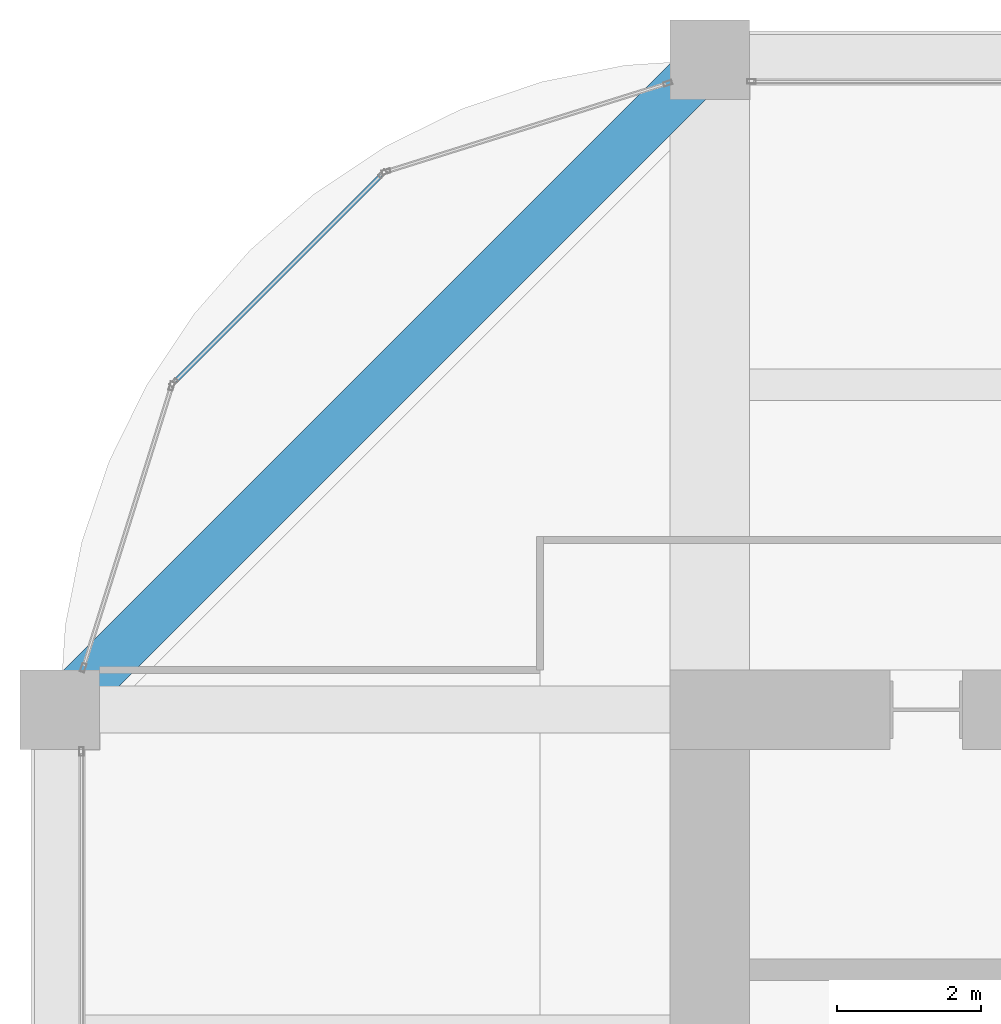
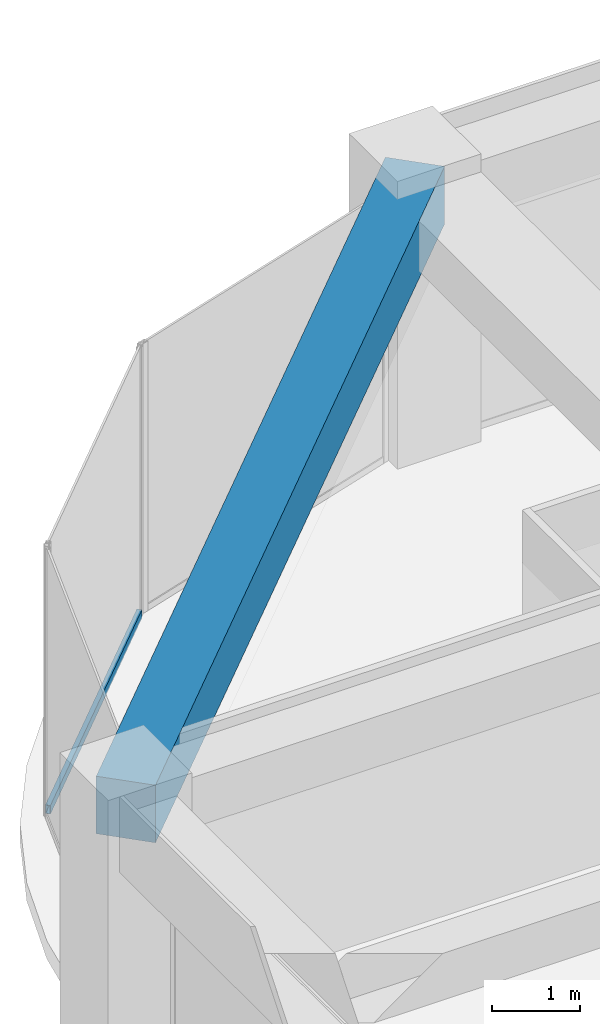
# One storey, part 29 of 45: 1 beam, 1 member, 1 element without a shape of its own.
"""IFC4 building model written with IfcOpenShell, lengths in metres."""

import ifcopenshell
import ifcopenshell.guid

model = None  # the IFC model being written
_history = None  # IfcOwnerHistory: only IFC2X3 demands one
_inside = {}  # id of a spatial element -> (the spatial element, [elements in it])
_under = {}  # id of a project, library or spatial element -> (it, [spatial elements below it])
_declared = {}  # id of a project -> (the project, [libraries it declares])
_typed = {}  # id of a type object -> (the type object, [elements of that type])
_made_of = {}  # id of a material, layer set ... -> (it, [elements and type objects made of it])


def new_model(schema):
    """Start an empty IFC model of exactly this schema.

    Asked for "IFC4X3", IfcOpenShell would pick the latest addendum, in which some entities
    have other attributes; the version numbers below select the first issue.
    IFC2X3 requires an IfcOwnerHistory on every rooted entity: one is made here for all.
    """
    global model, _history
    if schema == "IFC4X3":
        model = ifcopenshell.file(schema_version=(4, 3, 0, 0))
    else:
        model = ifcopenshell.file(schema=schema)
    _inside.clear()
    _under.clear()
    _declared.clear()
    _typed.clear()
    _made_of.clear()
    _history = None
    if model.schema == "IFC2X3":
        org = make("IfcOrganization", Name="unknown")
        user = make(
            "IfcPersonAndOrganization",
            ThePerson=make("IfcPerson", FamilyName="unknown"),
            TheOrganization=org,
        )
        app = make(
            "IfcApplication",
            ApplicationDeveloper=org,
            Version="unknown",
            ApplicationFullName="unknown",
            ApplicationIdentifier="unknown",
        )
        _history = make(
            "IfcOwnerHistory",
            OwningUser=user,
            OwningApplication=app,
            ChangeAction="ADDED",
            CreationDate=0,
        )
    return model


def make(cls, **values):
    """One entity of the class cls with the attributes given. An attribute that is None is left unset."""
    return model.create_entity(
        cls, **{name: value for name, value in values.items() if value is not None}
    )


def rooted(cls, **values):
    """An entity with a GlobalId (a new one), such as an element, a storey or a relation."""
    return make(cls, GlobalId=ifcopenshell.guid.new(), OwnerHistory=_history, **values)


def si_unit(unit_type, name, prefix=None):
    """IfcSIUnit, for example si_unit("LENGTHUNIT", "METRE", prefix="MILLI")."""
    return make("IfcSIUnit", UnitType=unit_type, Prefix=prefix, Name=name)


def assignment(units):
    """IfcUnitAssignment: the units of a project."""
    return None if units is None else make("IfcUnitAssignment", Units=units)


def point(xyz):
    """IfcCartesianPoint."""
    return None if xyz is None else make("IfcCartesianPoint", Coordinates=xyz)


def direction(xyz):
    """IfcDirection."""
    return None if xyz is None else make("IfcDirection", DirectionRatios=xyz)


def frame(location, z_axis=None, x_axis=None):
    """IfcAxis2Placement3D, a coordinate frame: its origin and axes. An axis left out is left unset."""
    return make(
        "IfcAxis2Placement3D",
        Location=point(location),
        Axis=direction(z_axis),
        RefDirection=direction(x_axis),
    )


def frame_2d(location, x_axis=None):
    """IfcAxis2Placement2D, a coordinate frame in the plane: its origin and x axis."""
    return make(
        "IfcAxis2Placement2D", Location=point(location), RefDirection=direction(x_axis)
    )


def origin():
    """The frame at (0, 0, 0) with its axes left unset."""
    return frame((0.0, 0.0, 0.0))


def origin_2d():
    """The frame at (0, 0) in the plane with its x axis left unset."""
    return frame_2d((0.0, 0.0))


def place(relative_to, where):
    """IfcLocalPlacement: puts the frame where relative to a parent placement (None: the world)."""
    return make(
        "IfcLocalPlacement", PlacementRelTo=relative_to, RelativePlacement=where
    )


def context(
    kind, dimensions, precision=None, world=None, true_north=None, identifier=None
):
    """IfcGeometricRepresentationContext, for example the 3D "Model" context."""
    return make(
        "IfcGeometricRepresentationContext",
        ContextIdentifier=identifier,
        ContextType=kind,
        CoordinateSpaceDimension=dimensions,
        Precision=precision,
        WorldCoordinateSystem=world,
        TrueNorth=true_north,
    )


def subcontext(parent, identifier, kind, view, scale=None):
    """IfcGeometricRepresentationSubContext, for example "Body" below "Model"."""
    return make(
        "IfcGeometricRepresentationSubContext",
        ContextIdentifier=identifier,
        ContextType=kind,
        ParentContext=parent,
        TargetScale=scale,
        TargetView=view,
    )


def project(units=None, contexts=None):
    """IfcProject with its units and contexts."""
    return rooted(
        "IfcProject",
        Name="project",
        RepresentationContexts=contexts,
        UnitsInContext=assignment(units),
    )


def spatial(cls, under=None, at=None, **own):
    """A site, building, storey or space (cls), placed at a placement, below another one or the project."""
    s = rooted(cls, ObjectPlacement=at, **own)
    if under is not None:
        _under.setdefault(under.id(), (under, []))[1].append(s)
    return s


def profile(cls, at=None, kind="AREA", **sizes):
    """A parametric profile (cls). Its sizes go by their IFC names, for example OverallWidth=200.0."""
    return make(cls, ProfileType=kind, Position=at, **sizes)


def rectangle(**sizes):
    """IfcRectangleProfileDef."""
    return profile("IfcRectangleProfileDef", **sizes)


def hollow_rectangle(**sizes):
    """IfcRectangleHollowProfileDef."""
    return profile("IfcRectangleHollowProfileDef", **sizes)


def extrude(swept, where, along, depth):
    """IfcExtrudedAreaSolid: the profile swept, set in the frame where, extruded along a direction by depth."""
    return make(
        "IfcExtrudedAreaSolid",
        SweptArea=swept,
        Position=where,
        ExtrudedDirection=direction(along),
        Depth=depth,
    )


def shape(context_of_items, identifier, shape_type, items):
    """IfcShapeRepresentation: the items that make up one representation, for example the "Body"."""
    return make(
        "IfcShapeRepresentation",
        ContextOfItems=context_of_items,
        RepresentationIdentifier=identifier,
        RepresentationType=shape_type,
        Items=items,
    )


def material(Name=None, Category=None):
    """IfcMaterial."""
    return make("IfcMaterial", Name=Name, Category=Category)


def material_profile(
    of_material, cross_section, Name=None, Category=None, Priority=None
):
    """IfcMaterialProfile: a cross section and its material."""
    return make(
        "IfcMaterialProfile",
        Name=Name,
        Material=of_material,
        Profile=cross_section,
        Priority=Priority,
        Category=Category,
    )


def profile_set(profiles, Name=None, composite=None):
    """IfcMaterialProfileSet."""
    return make(
        "IfcMaterialProfileSet",
        Name=Name,
        MaterialProfiles=profiles,
        CompositeProfile=composite,
    )


def made_of(thing, what):
    """Note that an element or type object is made of a material, layer set ...; save() writes the relation."""
    if what is not None:
        _made_of.setdefault(what.id(), (what, []))[1].append(thing)
    return thing


def type_object(cls, material=None, **own):
    """A type object (cls), such as IfcWallType, which elements share."""
    return made_of(rooted(cls, **own), material)


def element(
    cls,
    number,
    at=None,
    inside=None,
    cuts=None,
    type_object=None,
    material=None,
    context=None,
    identifier="Body",
    shape_type=None,
    held_by="IfcProductDefinitionShape",
    body=None,
    shapes=None,
    **own,
):
    """One element of the class cls, such as IfcWall. Its Tag is "e" and its number.

    at: its placement. inside: the storey or other place that contains it. cuts: it is an
    opening in that element (IfcRelVoidsElement). A single representation is given by context,
    identifier, shape_type and body (its items); several are given by shapes. held_by: the class
    of the entity that holds the representations. save() writes the other relations.
    """
    e = rooted(cls, Tag="e%d" % number, ObjectPlacement=at, **own)
    if body is not None:
        shapes = [shape(context, identifier, shape_type, body)]
    if shapes is not None:
        e.Representation = make(held_by, Representations=shapes)
    if inside is not None:
        _inside.setdefault(inside.id(), (inside, []))[1].append(e)
    if cuts is not None:
        rooted(
            "IfcRelVoidsElement", RelatingBuildingElement=cuts, RelatedOpeningElement=e
        )
    if type_object is not None:
        _typed.setdefault(type_object.id(), (type_object, []))[1].append(e)
    return made_of(e, material)


def aggregate(whole, parts):
    """IfcRelAggregates: a whole, such as a stair, and the parts it consists of."""
    return rooted("IfcRelAggregates", RelatingObject=whole, RelatedObjects=parts)


def save(model, path):
    """Write the relations noted so far, then the file.

    IfcRelAggregates (storeys below a building ...), IfcRelContainedInSpatialStructure (elements
    in a storey), IfcRelDefinesByType, IfcRelAssociatesMaterial and IfcRelDeclares: one each for
    every whole, place, type object, material and project.
    """
    for whole, parts in _under.values():
        aggregate(whole, parts)
    for where, things in _inside.values():
        rooted(
            "IfcRelContainedInSpatialStructure",
            RelatedElements=things,
            RelatingStructure=where,
        )
    for kind, things in _typed.values():
        rooted("IfcRelDefinesByType", RelatedObjects=things, RelatingType=kind)
    for what, things in _made_of.values():
        rooted("IfcRelAssociatesMaterial", RelatedObjects=things, RelatingMaterial=what)
    for by, libraries in _declared.values():
        rooted("IfcRelDeclares", RelatingContext=by, RelatedDefinitions=libraries)
    model.write(path)


model = new_model("IFC4")

# Units and contexts
model_context = context("Model", 3, precision=1e-05, world=origin(), true_north=direction((0.0, 1.0)))
body_context = subcontext(model_context, "Body", "Model", "MODEL_VIEW")
ifc_project = project(units=[si_unit("LENGTHUNIT", "METRE"), si_unit("AREAUNIT", "SQUARE_METRE"), si_unit("VOLUMEUNIT", "CUBIC_METRE"), si_unit("PLANEANGLEUNIT", "RADIAN"), si_unit("MASSUNIT", "GRAM", prefix="KILO")], contexts=[model_context])

# Site, building, storey
site_placement = place(None, origin())
site = spatial("IfcSite", under=ifc_project, at=site_placement, CompositionType="ELEMENT")
building_placement = place(site_placement, origin())
building = spatial("IfcBuilding", under=site, at=building_placement, Name="Zorevar Civic Tower", CompositionType="ELEMENT")
storey_placement = place(building_placement, frame((0.0, 0.0, 291.39990234375)))
storey = spatial("IfcBuildingStorey", under=building, at=storey_placement, Name="L71", CompositionType="ELEMENT", Elevation=291.39990234375)

# Curtain wall, member
ifc_material_1 = material(Name="Dark grey solar-control glass in black aluminium frame", Category="aluminium")
curtain_wall_type = type_object("IfcCurtainWallType", Name="Curtain wall CW5 top zone", PredefinedType="NOTDEFINED", material=ifc_material_1)
curtain_wall_placement = place(storey_placement, origin())
curtain_wall = element("IfcCurtainWall", 1, at=curtain_wall_placement, inside=storey, type_object=curtain_wall_type, Name="CW5 L71", PredefinedType="NOTDEFINED")
ifc_material_2 = material(Name="Aluminium, black anodised", Category="aluminium")
ifc_material_profile_1 = material_profile(ifc_material_2, hollow_rectangle(XDim=0.06005859375, YDim=0.1201171875, WallThickness=0.0029296875, at=origin_2d()), Name="AL 120x60x3")
ifc_profile_set_1 = profile_set([ifc_material_profile_1], Name="Aluminium, black anodised")
member_type = type_object("IfcMemberType", Name="CW5 transom AL 120x60x3", PredefinedType="USERDEFINED", material=ifc_profile_set_1)
member_placement = place(storey_placement, frame((13.44970703125, 43.3984375, 0.030029296875), z_axis=(-0.707106781187, -0.707106781187, 0.0), x_axis=(0.707106781187, -0.707106781187, 0.0)))
member = element("IfcMember", 2, at=member_placement, type_object=member_type, Name="CW5 sill transom", ObjectType="TRANSOM", PredefinedType="USERDEFINED", context=body_context, shape_type="SweptSolid", body=[
    extrude(hollow_rectangle(XDim=0.06005859375, YDim=0.1201171875, WallThickness=0.0029296875, at=origin_2d()), origin(), (0.0, 0.0, 1.0), 4.02783203125),
])
aggregate(curtain_wall, [member])

# Beam
ifc_material_3 = material(Name="Concrete C50/60", Category="concrete")
ifc_material_profile_2 = material_profile(ifc_material_3, rectangle(XDim=0.699951171875, YDim=0.800048828125, at=origin_2d()), Name="RC 700x800")
ifc_profile_set_2 = profile_set([ifc_material_profile_2], Name="Concrete C50/60")
beam_type = type_object("IfcBeamType", Name="Edge beam RC 700x800", PredefinedType="SPANDREL", material=ifc_profile_set_2)
beam_placement = place(storey_placement, frame((18.0, 45.0, 3.35009765625), z_axis=(-0.707106781187, -0.707106781187, 0.0), x_axis=(0.707106781187, -0.707106781187, 0.0)))
element("IfcBeam", 3, at=beam_placement, inside=storey, type_object=beam_type, Name="Corner edge beam L72", PredefinedType="SPANDREL", context=body_context, shape_type="SweptSolid", body=[
    extrude(rectangle(XDim=0.699951171875, YDim=0.800048828125, at=origin_2d()), origin(), (0.0, 0.0, 1.0), 12.72802734375),
])

save(model, "model.ifc")
